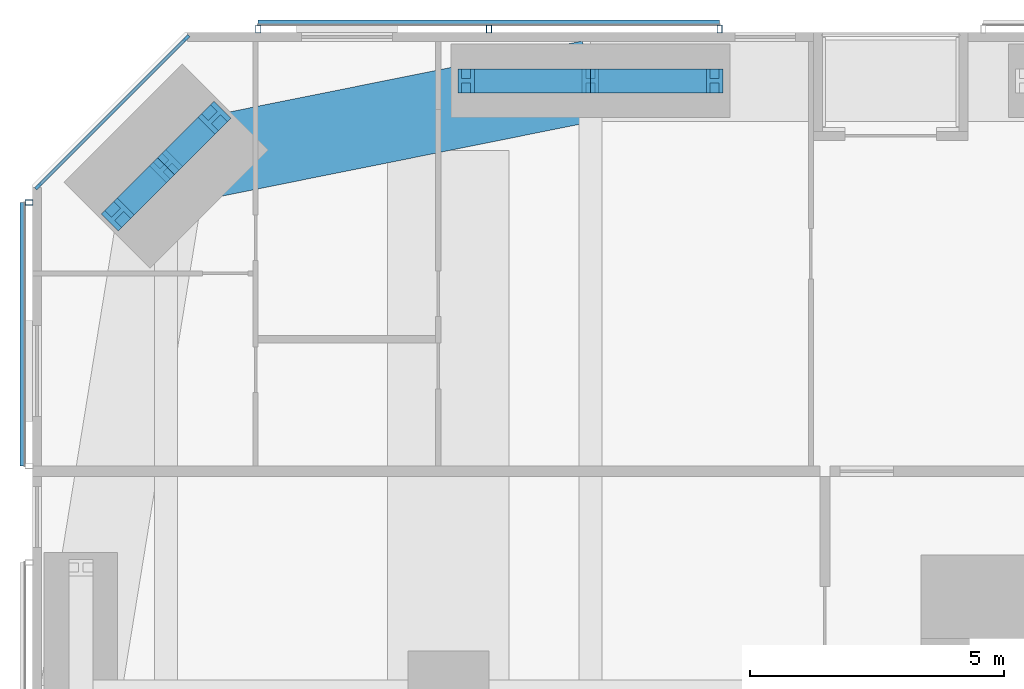
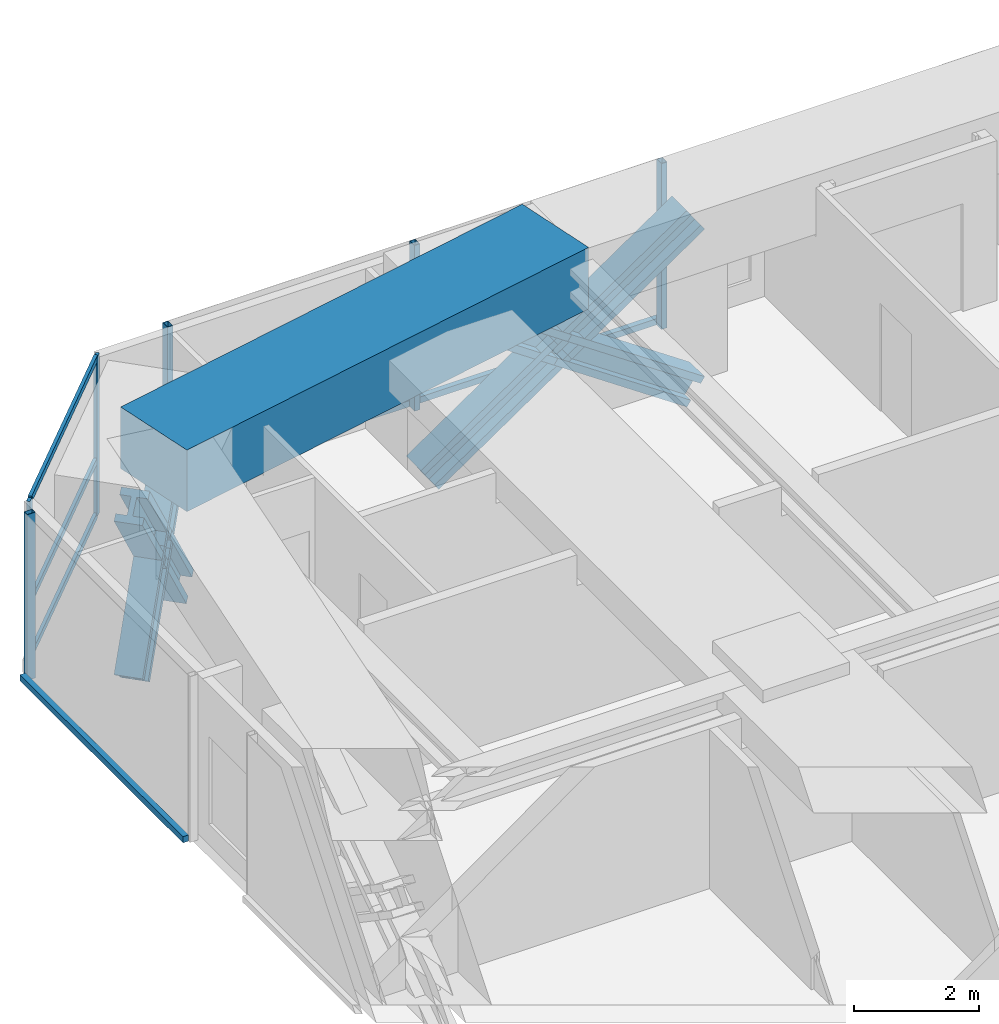
# One storey, part 12 of 24: 19 members, 1 beam, 3 elements without a shape of their own.
"""IFC4 building model written with IfcOpenShell, lengths in metres."""

from ifc_helpers import new_model, si_unit, direction, frame, origin, origin_2d, place, context, subcontext, project, spatial, rectangle, hollow_rectangle, i_section, extrude, material, material_profile, profile_set, type_object, element, aggregate, save


model = new_model("IFC4")

# Units and contexts
model_context = context("Model", 3, precision=1e-05, world=origin(), true_north=direction((0.0, 1.0)))
body_context = subcontext(model_context, "Body", "Model", "MODEL_VIEW")
ifc_project = project(units=[si_unit("LENGTHUNIT", "METRE"), si_unit("AREAUNIT", "SQUARE_METRE"), si_unit("VOLUMEUNIT", "CUBIC_METRE"), si_unit("PLANEANGLEUNIT", "RADIAN"), si_unit("MASSUNIT", "GRAM", prefix="KILO")], contexts=[model_context])

# Site, building, storey
site_placement = place(None, origin())
site = spatial("IfcSite", under=ifc_project, at=site_placement, CompositionType="ELEMENT")
building_placement = place(site_placement, origin())
building = spatial("IfcBuilding", under=site, at=building_placement, Name="Jalousie Tower", CompositionType="ELEMENT")
storey_placement = place(building_placement, frame((0.0, 0.0, 57.85009765625)))
storey = spatial("IfcBuildingStorey", under=building, at=storey_placement, Name="L15", CompositionType="ELEMENT", Elevation=57.85009765625)

# Curtain wall, members
ifc_material_1 = material(Name="Aluminium curtain wall", Category="aluminium")
curtain_wall_type_1 = type_object("IfcCurtainWallType", Name="CORNER WINDOW WALL", PredefinedType="USERDEFINED", material=ifc_material_1)
curtain_wall_1_placement = place(storey_placement, origin())
curtain_wall_1 = element("IfcCurtainWall", 1, at=curtain_wall_1_placement, inside=storey, type_object=curtain_wall_type_1, Name="Corner Window Wall L15 6", ObjectType="CORNER WINDOW WALL", PredefinedType="USERDEFINED")
ifc_material_2 = material(Name="Aluminium mullion", Category="aluminium")
ifc_material_profile_1 = material_profile(ifc_material_2, rectangle(XDim=0.06005859375, YDim=0.14990234375, at=origin_2d()), Name="MULLION 60x150")
ifc_profile_set_1 = profile_set([ifc_material_profile_1], Name="Aluminium mullion")
member_type_1 = type_object("IfcMemberType", Name="CORNER WINDOW WALL MULLION", PredefinedType="MULLION", material=ifc_profile_set_1)
member_1_placement = place(storey_placement, frame((5.030029296875, 37.891357421875, 0.0), z_axis=(0.0, 0.0, 1.0), x_axis=(0.707106781187, -0.707106781187, 0.0)))
member_1 = element("IfcMember", 2, at=member_1_placement, type_object=member_type_1, Name="CW-C mullion 1", PredefinedType="MULLION", context=body_context, shape_type="SweptSolid", body=[
    extrude(rectangle(XDim=0.06005859375, YDim=0.14990234375, at=origin_2d()), origin(), (0.0, 0.0, 1.0), 3.10986328125),
])
member_2_placement = place(storey_placement, frame((2.108642578125, 34.969970703125, 0.0), z_axis=(0.0, 0.0, 1.0), x_axis=(0.707106781187, -0.707106781187, 0.0)))
member_2 = element("IfcMember", 3, at=member_2_placement, type_object=member_type_1, Name="CW-C mullion 2", PredefinedType="MULLION", context=body_context, shape_type="SweptSolid", body=[
    extrude(rectangle(XDim=0.06005859375, YDim=0.14990234375, at=origin_2d()), origin(), (0.0, 0.0, 1.0), 3.10986328125),
])
ifc_material_3 = material(Name="Aluminium transom", Category="aluminium")
ifc_material_profile_2 = material_profile(ifc_material_3, rectangle(XDim=0.06005859375, YDim=0.1201171875, at=origin_2d()), Name="TRANSOM 60x120")
ifc_profile_set_2 = profile_set([ifc_material_profile_2], Name="Aluminium transom")
member_type_2 = type_object("IfcMemberType", Name="CORNER WINDOW WALL TRANSOM", PredefinedType="USERDEFINED", material=ifc_profile_set_2)
member_3_placement = place(storey_placement, frame((5.0087890625, 37.8701171875, 0.02978515625), z_axis=(-0.707106781187, -0.707106781187, 0.0), x_axis=(0.707106781187, -0.707106781187, 0.0)))
member_3 = element("IfcMember", 4, at=member_3_placement, type_object=member_type_2, Name="CW-C transom 1.1", ObjectType="TRANSOM", PredefinedType="USERDEFINED", context=body_context, shape_type="SweptSolid", body=[
    extrude(rectangle(XDim=0.06005859375, YDim=0.1201171875, at=origin_2d()), origin(), (0.0, 0.0, 1.0), 4.0712890625),
])
member_4_placement = place(storey_placement, frame((5.0087890625, 37.8701171875, 1.099853515625), z_axis=(-0.707106781187, -0.707106781187, 0.0), x_axis=(0.707106781187, -0.707106781187, 0.0)))
member_4 = element("IfcMember", 5, at=member_4_placement, type_object=member_type_2, Name="CW-C transom 1.2", ObjectType="TRANSOM", PredefinedType="USERDEFINED", context=body_context, shape_type="SweptSolid", body=[
    extrude(rectangle(XDim=0.06005859375, YDim=0.1201171875, at=origin_2d()), origin(), (0.0, 0.0, 1.0), 4.0712890625),
])
member_5_placement = place(storey_placement, frame((5.0087890625, 37.8701171875, 3.079833984375), z_axis=(-0.707106781187, -0.707106781187, 0.0), x_axis=(0.707106781187, -0.707106781187, 0.0)))
member_5 = element("IfcMember", 6, at=member_5_placement, type_object=member_type_2, Name="CW-C transom 1.3", ObjectType="TRANSOM", PredefinedType="USERDEFINED", context=body_context, shape_type="SweptSolid", body=[
    extrude(rectangle(XDim=0.06005859375, YDim=0.1201171875, at=origin_2d()), origin(), (0.0, 0.0, 1.0), 4.0712890625),
])
aggregate(curtain_wall_1, [member_1, member_2, member_3, member_4, member_5])

# Members
ifc_material_4 = material(Name="Steel ASTM A992 Grade 50", Category="steel")
ifc_material_profile_3 = material_profile(ifc_material_4, i_section(OverallWidth=0.472412109375, OverallDepth=0.5791015625, WebThickness=0.094970703125, FlangeThickness=0.1298828125, at=origin_2d()), Name="W14X808")
ifc_profile_set_3 = profile_set([ifc_material_profile_3], Name="Steel ASTM A992 Grade 50")
member_type_3 = type_object("IfcMemberType", Name="PERIMETER BRACE W14X808", PredefinedType="BRACE", material=ifc_profile_set_3)
for number, where, z_axis, x_axis, name in (
    (7, (10.550048828125, 37.050048828125, -0.60009765625), (0.825500916831, 0.0, 0.564400776321), (0.0, 1.0, 0.0), "Perimeter brace 11 L15 part 1"),
    (8, (13.0, 37.050048828125, 1.074951171875), (0.825500916831, 0.0, 0.564400776321), (0.0, 1.0, 0.0), "Perimeter brace 11 L15 part 2"),
    (9, (15.449951171875, 37.050048828125, -0.60009765625), (-0.825500916831, 0.0, 0.564400776321), (0.0, -1.0, 0.0), "Perimeter brace 11 L15 part 3"),
    (10, (13.0, 37.050048828125, 1.074951171875), (-0.825500916831, 0.0, 0.564400776321), (0.0, -1.0, 0.0), "Perimeter brace 11 L15 part 4"),
):
    element("IfcMember", number, at=place(storey_placement, frame(where, z_axis=z_axis, x_axis=x_axis)), inside=storey, type_object=member_type_3, Name=name, PredefinedType="BRACE", context=body_context, shape_type="SweptSolid", body=[
        extrude(i_section(OverallWidth=0.472412109375, OverallDepth=0.5791015625, WebThickness=0.094970703125, FlangeThickness=0.1298828125, at=origin_2d()), origin(), (0.0, 0.0, 1.0), 2.9677734375),
    ])
for number, where, z_axis, x_axis, name in (
    (11, (5.5859375, 36.3232421875, -0.60009765625), (-0.443718327034, -0.443718327034, 0.778606506849), (0.707106781187, -0.707106781187, 0.0), "Perimeter brace 12 L15 part 1"),
    (12, (4.63134765625, 35.36865234375, 1.074951171875), (-0.443718327034, -0.443718327034, 0.778606506849), (0.707106781187, -0.707106781187, 0.0), "Perimeter brace 12 L15 part 2"),
    (13, (3.6767578125, 34.4140625, -0.60009765625), (0.443718327034, 0.443718327034, 0.778606506849), (-0.707106781187, 0.707106781187, 0.0), "Perimeter brace 12 L15 part 3"),
    (14, (4.63134765625, 35.36865234375, 1.074951171875), (0.443718327034, 0.443718327034, 0.778606506849), (-0.707106781187, 0.707106781187, 0.0), "Perimeter brace 12 L15 part 4"),
):
    element("IfcMember", number, at=place(storey_placement, frame(where, z_axis=z_axis, x_axis=x_axis)), inside=storey, type_object=member_type_3, Name=name, PredefinedType="BRACE", context=body_context, shape_type="SweptSolid", body=[
        extrude(i_section(OverallWidth=0.472412109375, OverallDepth=0.5791015625, WebThickness=0.094970703125, FlangeThickness=0.1298828125, at=origin_2d()), origin(), (0.0, 0.0, 1.0), 2.1513671875),
    ])

# Beam
ifc_material_5 = material(Name="Concrete f'c 40 MPa", Category="concrete")
ifc_material_profile_4 = material_profile(ifc_material_5, rectangle(XDim=1.60009765625, YDim=1.199951171875, at=origin_2d()), Name="RC 1600x1200")
ifc_profile_set_4 = profile_set([ifc_material_profile_4], Name="Concrete f'c 40 MPa")
beam_type = type_object("IfcBeamType", Name="RC BEAM 1600x1200", PredefinedType="BEAM", material=ifc_profile_set_4)
beam_placement = place(storey_placement, frame((13.0, 37.050048828125, 2.75), z_axis=(-0.980407585444, -0.196979609107, 0.0), x_axis=(0.196979609107, -0.980407585444, 0.0)))
element("IfcBeam", 15, at=beam_placement, inside=storey, type_object=beam_type, Name="Edge band beam 11-12 under L16", PredefinedType="BEAM", context=body_context, shape_type="SweptSolid", body=[
    extrude(rectangle(XDim=1.60009765625, YDim=1.199951171875, at=origin_2d()), origin(), (0.0, 0.0, 1.0), 8.535888671875),
])

# Curtain wall, members
ifc_material_6 = material(Name="Perforated aluminium sheet", Category="aluminium")
curtain_wall_type_2 = type_object("IfcCurtainWallType", Name="SOLAR SCREEN SS-1", PredefinedType="USERDEFINED", material=ifc_material_6)
curtain_wall_2_placement = place(storey_placement, origin())
curtain_wall_2 = element("IfcCurtainWall", 16, at=curtain_wall_2_placement, inside=storey, type_object=curtain_wall_type_2, Name="Solar screen L15", ObjectType="SOLAR SCREEN SS-1", PredefinedType="USERDEFINED")
ifc_material_7 = material(Name="Steel ASTM A500 Grade C", Category="steel")
ifc_material_profile_5 = material_profile(ifc_material_7, hollow_rectangle(XDim=0.1015625, YDim=0.15234375, WallThickness=0.00634765625, at=origin_2d()), Name="HSS6X4X1/4")
ifc_profile_set_5 = profile_set([ifc_material_profile_5], Name="Steel ASTM A500 Grade C")
member_type_4 = type_object("IfcMemberType", Name="SOLAR SCREEN SS-1 MULLION", PredefinedType="MULLION", material=ifc_profile_set_5)
member_6_placement = place(storey_placement, frame((15.550048828125, 38.0712890625, -0.1201171875), z_axis=(0.0, 0.0, 1.0), x_axis=(-1.0, 0.0, 0.0)))
member_6 = element("IfcMember", 17, at=member_6_placement, type_object=member_type_4, Name="SS1 post 1", PredefinedType="MULLION", context=body_context, shape_type="SweptSolid", body=[
    extrude(hollow_rectangle(XDim=0.1015625, YDim=0.15234375, WallThickness=0.00634765625, at=origin_2d()), origin(), (0.0, 0.0, 1.0), 3.22998046875),
])
member_7_placement = place(storey_placement, frame((11.0, 38.0712890625, -0.1201171875), z_axis=(0.0, 0.0, 1.0), x_axis=(-1.0, 0.0, 0.0)))
member_7 = element("IfcMember", 18, at=member_7_placement, type_object=member_type_4, Name="SS1 post 2", PredefinedType="MULLION", context=body_context, shape_type="SweptSolid", body=[
    extrude(hollow_rectangle(XDim=0.1015625, YDim=0.15234375, WallThickness=0.00634765625, at=origin_2d()), origin(), (0.0, 0.0, 1.0), 3.22998046875),
])
member_8_placement = place(storey_placement, frame((6.449951171875, 38.0712890625, -0.1201171875), z_axis=(0.0, 0.0, 1.0), x_axis=(-1.0, 0.0, 0.0)))
member_8 = element("IfcMember", 19, at=member_8_placement, type_object=member_type_4, Name="SS1 post 3", PredefinedType="MULLION", context=body_context, shape_type="SweptSolid", body=[
    extrude(hollow_rectangle(XDim=0.1015625, YDim=0.15234375, WallThickness=0.00634765625, at=origin_2d()), origin(), (0.0, 0.0, 1.0), 3.22998046875),
])

# Curtain wall, member
curtain_wall_3_placement = place(storey_placement, origin())
curtain_wall_3 = element("IfcCurtainWall", 20, at=curtain_wall_3_placement, inside=storey, type_object=curtain_wall_type_2, Name="Solar screen L15", ObjectType="SOLAR SCREEN SS-1", PredefinedType="USERDEFINED")
member_9_placement = place(storey_placement, frame((1.9287109375, 34.648681640625, -0.1201171875), z_axis=(0.0, 0.0, 1.0), x_axis=(0.0, -1.0, 0.0)))
member_9 = element("IfcMember", 21, at=member_9_placement, type_object=member_type_4, Name="SS1 post 1", PredefinedType="MULLION", context=body_context, shape_type="SweptSolid", body=[
    extrude(hollow_rectangle(XDim=0.1015625, YDim=0.15234375, WallThickness=0.00634765625, at=origin_2d()), origin(), (0.0, 0.0, 1.0), 3.22998046875),
])

# Member
ifc_material_8 = material(Name="Extruded aluminium screen rail", Category="aluminium")
ifc_material_profile_6 = material_profile(ifc_material_8, rectangle(XDim=0.1015625, YDim=0.1201171875, at=origin_2d()), Name="RAIL 102x120")
ifc_profile_set_6 = profile_set([ifc_material_profile_6], Name="Extruded aluminium screen rail")
member_type_5 = type_object("IfcMemberType", Name="SOLAR SCREEN SS-1 TRANSOM", PredefinedType="USERDEFINED", material=ifc_profile_set_6)
member_10_placement = place(storey_placement, frame((15.550048828125, 38.1982421875, -0.06005859375), z_axis=(-1.0, 0.0, 0.0), x_axis=(0.0, -1.0, 0.0)))
member_10 = element("IfcMember", 22, at=member_10_placement, type_object=member_type_5, Name="SS1 rail", ObjectType="TRANSOM", PredefinedType="USERDEFINED", context=body_context, shape_type="SweptSolid", body=[
    extrude(rectangle(XDim=0.1015625, YDim=0.1201171875, at=origin_2d()), origin(), (0.0, 0.0, 1.0), 9.10009765625),
])

aggregate(curtain_wall_2, [member_6, member_7, member_8, member_10])

member_11_placement = place(storey_placement, frame((1.8017578125, 34.648681640625, -0.06005859375), z_axis=(0.0, -1.0, 0.0), x_axis=(1.0, 0.0, 0.0)))
member_11 = element("IfcMember", 23, at=member_11_placement, type_object=member_type_5, Name="SS1 rail", ObjectType="TRANSOM", PredefinedType="USERDEFINED", context=body_context, shape_type="SweptSolid", body=[
    extrude(rectangle(XDim=0.1015625, YDim=0.1201171875, at=origin_2d()), origin(), (0.0, 0.0, 1.0), 5.19873046875),
])

aggregate(curtain_wall_3, [member_9, member_11])

save(model, "model.ifc")
